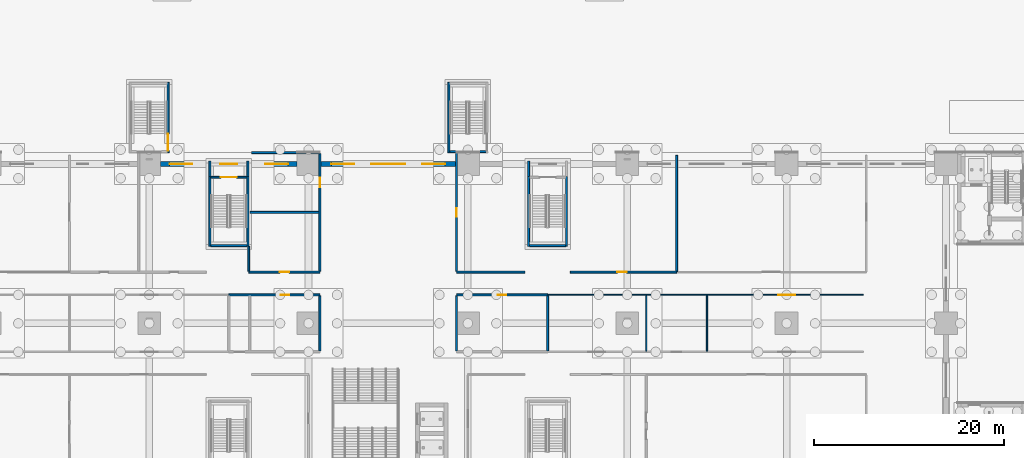
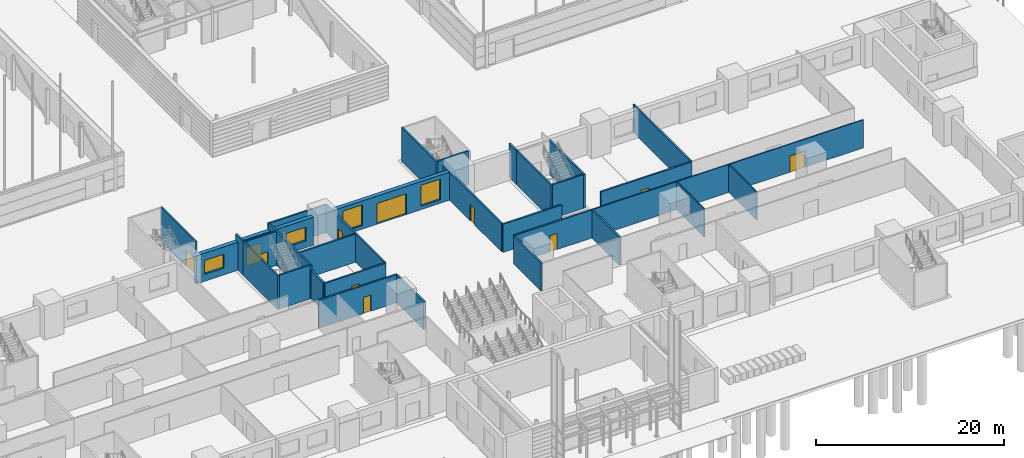
# One storey, part 83 of 139: 32 walls, 11 doors, 4 windows, 15 openings.
"""IFC4 building model written with IfcOpenShell, lengths in metres."""

from ifc_helpers import new_model, si_unit, direction, frame, frame_2d, origin, place, context, subcontext, project, spatial, rectangle, extrude, material, layer, layer_set, type_object, element, fill, save


model = new_model("IFC4")

# Units and contexts
model_context = context("Model", 3, precision=1e-05, world=origin(), true_north=direction((0.0, 1.0)))
body_context = subcontext(model_context, "Body", "Model", "MODEL_VIEW")
ifc_project = project(units=[si_unit("LENGTHUNIT", "METRE"), si_unit("AREAUNIT", "SQUARE_METRE"), si_unit("VOLUMEUNIT", "CUBIC_METRE"), si_unit("PLANEANGLEUNIT", "RADIAN"), si_unit("MASSUNIT", "GRAM", prefix="KILO")], contexts=[model_context])

# Site, building, storey
site_placement = place(None, origin())
site = spatial("IfcSite", under=ifc_project, at=site_placement, CompositionType="ELEMENT")
building_placement = place(site_placement, origin())
building = spatial("IfcBuilding", under=site, at=building_placement, Name="Verrick Yard Athletic Hall", CompositionType="ELEMENT")
storey_placement = place(building_placement, origin())
storey = spatial("IfcBuildingStorey", under=building, at=storey_placement, Name="L00", CompositionType="ELEMENT", Elevation=0.0)

# Walls
ifc_material_1 = material(Name="Concrete 35 MPa", Category="concrete")
ifc_layer_1 = layer(ifc_material_1, 0.199951171875)
ifc_layer_set_1 = layer_set([ifc_layer_1], Name="Enclosure wall CR200")
wall_type_1 = type_object("IfcWallType", Name="Enclosure wall CR200", PredefinedType="SOLIDWALL", material=ifc_layer_set_1)
for number, where, z_axis, x_axis, name in (
    (1, (80.0, 44.10009765625, 0.0), (0.0, 0.0, 1.0), (0.0, 1.0, 0.0), "CORE-PS-N2-WW-L00"),
    (2, (84.0, 44.10009765625, 0.0), (0.0, 0.0, 1.0), (0.0, 1.0, 0.0), "CORE-PS-N2-WE-L00"),
):
    element("IfcWall", number, at=place(storey_placement, frame(where, z_axis=z_axis, x_axis=x_axis)), inside=storey, type_object=wall_type_1, Name=name, PredefinedType="SOLIDWALL", context=body_context, shape_type="SweptSolid", body=[
        extrude(rectangle(XDim=7.39990234375, YDim=0.199951171875, at=frame_2d((3.699951171875, 0.0))), origin(), (0.0, 0.0, 1.0), 4.39990234375),
    ])
wall_1_placement = place(storey_placement, frame((80.10009765625, 44.199951171875, 0.0), z_axis=(0.0, 0.0, 1.0), x_axis=(1.0, 0.0, 0.0)))
element("IfcWall", 3, at=wall_1_placement, inside=storey, type_object=wall_type_1, Name="CORE-PS-N2-WS-L00", PredefinedType="SOLIDWALL", context=body_context, shape_type="SweptSolid", body=[
    extrude(rectangle(XDim=3.7998046875, YDim=0.199951171875, at=frame_2d((1.89990234375, 0.0))), origin(), (0.0, 0.0, 1.0), 4.39990234375),
])

# Wall, opening, door
wall_2_placement = place(storey_placement, frame((80.10009765625, 51.39990234375, 0.0), z_axis=(0.0, 0.0, 1.0), x_axis=(1.0, 0.0, 0.0)))
wall_2 = element("IfcWall", 4, at=wall_2_placement, inside=storey, type_object=wall_type_1, Name="CORE-PS-N2-WN-L00", PredefinedType="SOLIDWALL", context=body_context, shape_type="SweptSolid", body=[
    extrude(rectangle(XDim=3.7998046875, YDim=0.199951171875, at=frame_2d((1.89990234375, 0.0))), origin(), (0.0, 0.0, 1.0), 4.39990234375),
])
opening_1_placement = place(wall_2_placement, frame((1.050048828125, 0.0, 0.0)))
opening_1 = element("IfcOpeningElement", 5, at=opening_1_placement, cuts=wall_2, Name="Opening SD2", PredefinedType="OPENING", context=body_context, shape_type="SweptSolid", body=[
    extrude(rectangle(XDim=1.699951171875, YDim=2.10009765625, at=frame_2d((0.85009765625, 1.050048828125))), frame((0.0, 0.10986328125, 0.0), z_axis=(0.0, -1.0, 0.0), x_axis=(1.0, 0.0, 0.0)), (0.0, 0.0, 1.0), 0.219970703125),
])
ifc_material_2 = material(Name="Hollow metal door leaf")
door_type_1 = type_object("IfcDoorType", Name="Core door SD2 1700x2100", OperationType="NOTDEFINED", PredefinedType="DOOR", material=ifc_material_2)
door_1_placement = place(opening_1_placement, origin())
door_1 = element("IfcDoor", 6, at=door_1_placement, inside=storey, type_object=door_type_1, Name="CORE-PS-N2-WN-L00-DSD2-8200", OperationType="DOUBLE_DOOR_SINGLE_SWING", OverallHeight=2.10009765625, OverallWidth=1.699951171875, PredefinedType="DOOR", context=body_context, shape_type="SweptSolid", body=[
    extrude(rectangle(XDim=1.699951171875, YDim=2.10009765625, at=frame_2d((0.85009765625, 1.050048828125))), frame((0.0, 0.02490234375, 0.0), z_axis=(0.0, -1.0, 0.0), x_axis=(1.0, 0.0, 0.0)), (0.0, 0.0, 1.0), 0.050048828125),
])
fill(opening_1, door_1)

# Walls
for number, where, z_axis, x_axis, name in (
    (7, (80.0, 51.5, 0.0), (0.0, 0.0, 1.0), (0.0, 1.0, 0.0), "CORE-PS-N2-VWW"),
    (8, (84.0, 51.5, 0.0), (0.0, 0.0, 1.0), (0.0, 1.0, 0.0), "CORE-PS-N2-VWE"),
):
    element("IfcWall", number, at=place(storey_placement, frame(where, z_axis=z_axis, x_axis=x_axis)), inside=storey, type_object=wall_type_1, Name=name, PredefinedType="SOLIDWALL", context=body_context, shape_type="SweptSolid", body=[
        extrude(rectangle(XDim=1.60009765625, YDim=0.199951171875, at=frame_2d((0.800048828125, 0.0))), origin(), (0.0, 0.0, 1.0), 4.39990234375),
    ])
for number, where, z_axis, x_axis, name in (
    (9, (113.60009765625, 44.10009765625, 0.0), (0.0, 0.0, 1.0), (0.0, 1.0, 0.0), "CORE-PS-N3-WW-L00"),
    (10, (117.60009765625, 44.10009765625, 0.0), (0.0, 0.0, 1.0), (0.0, 1.0, 0.0), "CORE-PS-N3-WE-L00"),
):
    element("IfcWall", number, at=place(storey_placement, frame(where, z_axis=z_axis, x_axis=x_axis)), inside=storey, type_object=wall_type_1, Name=name, PredefinedType="SOLIDWALL", context=body_context, shape_type="SweptSolid", body=[
        extrude(rectangle(XDim=7.39990234375, YDim=0.199951171875, at=frame_2d((3.699951171875, 0.0))), origin(), (0.0, 0.0, 1.0), 4.39990234375),
    ])
wall_3_placement = place(storey_placement, frame((113.699951171875, 44.199951171875, 0.0), z_axis=(0.0, 0.0, 1.0), x_axis=(1.0, 0.0, 0.0)))
element("IfcWall", 11, at=wall_3_placement, inside=storey, type_object=wall_type_1, Name="CORE-PS-N3-WS-L00", PredefinedType="SOLIDWALL", context=body_context, shape_type="SweptSolid", body=[
    extrude(rectangle(XDim=3.800048828125, YDim=0.199951171875, at=frame_2d((1.89990234375, 0.0))), origin(), (0.0, 0.0, 1.0), 4.39990234375),
])
wall_4_placement = place(storey_placement, frame((113.60009765625, 51.5, 0.0), z_axis=(0.0, 0.0, 1.0), x_axis=(0.0, 1.0, 0.0)))
element("IfcWall", 12, at=wall_4_placement, inside=storey, type_object=wall_type_1, Name="CORE-PS-N3-VWW", PredefinedType="SOLIDWALL", context=body_context, shape_type="SweptSolid", body=[
    extrude(rectangle(XDim=1.60009765625, YDim=0.199951171875, at=frame_2d((0.800048828125, 0.0))), origin(), (0.0, 0.0, 1.0), 4.39990234375),
])
ifc_layer_2 = layer(ifc_material_1, 0.199951171875)
ifc_layer_set_2 = layer_set([ifc_layer_2], Name="External enclosure wall CR200")
wall_type_2 = type_object("IfcWallType", Name="External enclosure wall CR200", PredefinedType="SOLIDWALL", material=ifc_layer_set_2)
wall_5_placement = place(storey_placement, frame((105.199951171875, 54.0, 0.0), z_axis=(0.0, 0.0, 1.0), x_axis=(0.0, 1.0, 0.0)))
element("IfcWall", 13, at=wall_5_placement, inside=storey, type_object=wall_type_2, Name="CORE-DT-N2-WW-L00", PredefinedType="SOLIDWALL", context=body_context, shape_type="SweptSolid", body=[
    extrude(rectangle(XDim=7.39990234375, YDim=0.199951171875, at=frame_2d((3.699951171875, 0.0))), origin(), (0.0, 0.0, 1.0), 4.39990234375),
])
wall_6_placement = place(storey_placement, frame((105.300048828125, 54.10009765625, 0.0), z_axis=(0.0, 0.0, 1.0), x_axis=(1.0, 0.0, 0.0)))
element("IfcWall", 14, at=wall_6_placement, inside=storey, type_object=wall_type_2, Name="CORE-DT-N2-WS-L00", PredefinedType="SOLIDWALL", context=body_context, shape_type="SweptSolid", body=[
    extrude(rectangle(XDim=3.800048828125, YDim=0.199951171875, at=frame_2d((1.89990234375, 0.0))), origin(), (0.0, 0.0, 1.0), 4.39990234375),
])

# Wall, opening, door
wall_7_placement = place(storey_placement, frame((75.60009765625, 61.39990234375, 0.0), z_axis=(0.0, 0.0, 1.0), x_axis=(0.0, -1.0, 0.0)))
wall_7 = element("IfcWall", 15, at=wall_7_placement, inside=storey, type_object=wall_type_2, Name="CORE-DT-N3-WE-L00", PredefinedType="SOLIDWALL", context=body_context, shape_type="SweptSolid", body=[
    extrude(rectangle(XDim=7.39990234375, YDim=0.199951171875, at=frame_2d((3.699951171875, 0.0))), origin(), (0.0, 0.0, 1.0), 4.39990234375),
])
opening_2_placement = place(wall_7_placement, frame((5.39990234375, 0.0, 0.0)))
opening_2 = element("IfcOpeningElement", 16, at=opening_2_placement, cuts=wall_7, Name="Opening XD2", PredefinedType="OPENING", context=body_context, shape_type="SweptSolid", body=[
    extrude(rectangle(XDim=1.800048828125, YDim=2.10009765625, at=frame_2d((0.89990234375, 1.050048828125))), frame((0.0, 0.10986328125, 0.0), z_axis=(0.0, -1.0, 0.0), x_axis=(1.0, 0.0, 0.0)), (0.0, 0.0, 1.0), 0.219970703125),
])
ifc_material_3 = material(Name="Aluminium door leaf", Category="aluminium")
door_type_2 = type_object("IfcDoorType", Name="Core door XD2 1800x2100", OperationType="NOTDEFINED", PredefinedType="DOOR", material=ifc_material_3)
door_2_placement = place(opening_2_placement, origin())
door_2 = element("IfcDoor", 17, at=door_2_placement, inside=storey, type_object=door_type_2, Name="CORE-DT-N3-WE-L00-DXD2-5510", OperationType="DOUBLE_DOOR_SINGLE_SWING", OverallHeight=2.10009765625, OverallWidth=1.800048828125, PredefinedType="DOOR", context=body_context, shape_type="SweptSolid", body=[
    extrude(rectangle(XDim=1.800048828125, YDim=2.10009765625, at=frame_2d((0.89990234375, 1.050048828125))), frame((0.0, 0.02490234375, 0.0), z_axis=(0.0, -1.0, 0.0), x_axis=(1.0, 0.0, 0.0)), (0.0, 0.0, 1.0), 0.050048828125),
])
fill(opening_2, door_2)

ifc_material_4 = material(Name="Concrete masonry block 15 MPa", Category="masonry")
ifc_layer_3 = layer(ifc_material_4, 0.199951171875)
ifc_layer_set_3 = layer_set([ifc_layer_3], Name="PW1 Block partition 200")
wall_type_3 = type_object("IfcWallType", Name="PW1 Block partition 200", PredefinedType="PARTITIONING", material=ifc_layer_set_3)
wall_8_placement = place(storey_placement, frame((82.0, 39.0, 0.0), z_axis=(0.0, 0.0, 1.0), x_axis=(1.0, 0.0, 0.0)))
wall_8 = element("IfcWall", 18, at=wall_8_placement, inside=storey, type_object=wall_type_3, Name="Partition PW1", PredefinedType="PARTITIONING", context=body_context, shape_type="SweptSolid", body=[
    extrude(rectangle(XDim=9.60009765625, YDim=0.199951171875, at=frame_2d((4.800048828125, 0.0))), origin(), (0.0, 0.0, 1.0), 3.64990234375),
])
opening_3_placement = place(wall_8_placement, frame((5.449951171875, 0.0, 0.0)))
opening_3 = element("IfcOpeningElement", 19, at=opening_3_placement, cuts=wall_8, Name="Opening D2", PredefinedType="OPENING", context=body_context, shape_type="SweptSolid", body=[
    extrude(rectangle(XDim=0.89990234375, YDim=2.10009765625, at=frame_2d((0.449951171875, 1.050048828125))), frame((0.0, 0.10986328125, 0.0), z_axis=(0.0, -1.0, 0.0), x_axis=(1.0, 0.0, 0.0)), (0.0, 0.0, 1.0), 0.219970703125),
])
ifc_material_5 = material(Name="Timber door leaf in steel frame", Category="steel")
door_type_3 = type_object("IfcDoorType", Name="D2 Single door 900 x 2100", OperationType="NOTDEFINED", PredefinedType="DOOR", material=ifc_material_5)
door_3_placement = place(opening_3_placement, origin())
door_3 = element("IfcDoor", 20, at=door_3_placement, inside=storey, type_object=door_type_3, Name="D2 Furniture Store", OperationType="SINGLE_SWING_RIGHT", OverallHeight=2.10009765625, OverallWidth=0.89990234375, PredefinedType="DOOR", context=body_context, shape_type="SweptSolid", body=[
    extrude(rectangle(XDim=0.89990234375, YDim=2.10009765625, at=frame_2d((0.449951171875, 1.050048828125))), frame((0.0, 0.02490234375, 0.0), z_axis=(0.0, -1.0, 0.0), x_axis=(1.0, 0.0, 0.0)), (0.0, 0.0, 1.0), 0.050048828125),
])
fill(opening_3, door_3)

wall_9_placement = place(storey_placement, frame((106.0, 39.0, 0.0), z_axis=(0.0, 0.0, 1.0), x_axis=(1.0, 0.0, 0.0)))
wall_9 = element("IfcWall", 21, at=wall_9_placement, inside=storey, type_object=wall_type_3, Name="Partition PW1", PredefinedType="PARTITIONING", context=body_context, shape_type="SweptSolid", body=[
    extrude(rectangle(XDim=9.60009765625, YDim=0.199951171875, at=frame_2d((4.800048828125, 0.0))), origin(), (0.0, 0.0, 1.0), 3.64990234375),
])
opening_4_placement = place(wall_9_placement, frame((4.35009765625, 0.0, 0.0)))
opening_4 = element("IfcOpeningElement", 22, at=opening_4_placement, cuts=wall_9, Name="Opening D2", PredefinedType="OPENING", context=body_context, shape_type="SweptSolid", body=[
    extrude(rectangle(XDim=0.89990234375, YDim=2.10009765625, at=frame_2d((0.449951171875, 1.050048828125))), frame((0.0, 0.10986328125, 0.0), z_axis=(0.0, -1.0, 0.0), x_axis=(1.0, 0.0, 0.0)), (0.0, 0.0, 1.0), 0.219970703125),
])
door_4_placement = place(opening_4_placement, origin())
door_4 = element("IfcDoor", 23, at=door_4_placement, inside=storey, type_object=door_type_3, Name="D2 Pantry Store", OperationType="SINGLE_SWING_LEFT", OverallHeight=2.10009765625, OverallWidth=0.89990234375, PredefinedType="DOOR", context=body_context, shape_type="SweptSolid", body=[
    extrude(rectangle(XDim=0.89990234375, YDim=2.10009765625, at=frame_2d((0.449951171875, 1.050048828125))), frame((0.0, 0.02490234375, 0.0), z_axis=(0.0, -1.0, 0.0), x_axis=(1.0, 0.0, 0.0)), (0.0, 0.0, 1.0), 0.050048828125),
])
fill(opening_4, door_4)

wall_10_placement = place(storey_placement, frame((84.10009765625, 41.39990234375, 0.0), z_axis=(0.0, 0.0, 1.0), x_axis=(1.0, 0.0, 0.0)))
wall_10 = element("IfcWall", 24, at=wall_10_placement, inside=storey, type_object=wall_type_3, Name="Partition PW1", PredefinedType="PARTITIONING", context=body_context, shape_type="SweptSolid", body=[
    extrude(rectangle(XDim=7.5, YDim=0.199951171875, at=frame_2d((3.75, 0.0))), origin(), (0.0, 0.0, 1.0), 3.64990234375),
])
opening_5_placement = place(wall_10_placement, frame((3.25, 0.0, 0.0)))
opening_5 = element("IfcOpeningElement", 25, at=opening_5_placement, cuts=wall_10, Name="Opening D1", PredefinedType="OPENING", context=body_context, shape_type="SweptSolid", body=[
    extrude(rectangle(XDim=1.0, YDim=2.10009765625, at=frame_2d((0.5, 1.050048828125))), frame((0.0, 0.10986328125, 0.0), z_axis=(0.0, -1.0, 0.0), x_axis=(1.0, 0.0, 0.0)), (0.0, 0.0, 1.0), 0.219970703125),
])
door_type_4 = type_object("IfcDoorType", Name="D1 Single door 1000 x 2100", OperationType="NOTDEFINED", PredefinedType="DOOR", material=ifc_material_5)
door_5_placement = place(opening_5_placement, origin())
door_5 = element("IfcDoor", 26, at=door_5_placement, inside=storey, type_object=door_type_4, Name="D1 Public WC Women", OperationType="SINGLE_SWING_LEFT", OverallHeight=2.10009765625, OverallWidth=1.0, PredefinedType="DOOR", context=body_context, shape_type="SweptSolid", body=[
    extrude(rectangle(XDim=1.0, YDim=2.10009765625, at=frame_2d((0.5, 1.050048828125))), frame((0.0, 0.02490234375, 0.0), z_axis=(0.0, -1.0, 0.0), x_axis=(1.0, 0.0, 0.0)), (0.0, 0.0, 1.0), 0.050048828125),
])
fill(opening_5, door_5)

# Walls
wall_11_placement = place(storey_placement, frame((106.0, 41.39990234375, 0.0), z_axis=(0.0, 0.0, 1.0), x_axis=(1.0, 0.0, 0.0)))
element("IfcWall", 27, at=wall_11_placement, inside=storey, type_object=wall_type_3, Name="Partition PW1", PredefinedType="PARTITIONING", context=body_context, shape_type="SweptSolid", body=[
    extrude(rectangle(XDim=7.199951171875, YDim=0.199951171875, at=frame_2d((3.60009765625, 0.0))), origin(), (0.0, 0.0, 1.0), 3.64990234375),
])
wall_12_placement = place(storey_placement, frame((84.25, 47.699951171875, 0.0), z_axis=(0.0, 0.0, 1.0), x_axis=(1.0, 0.0, 0.0)))
element("IfcWall", 28, at=wall_12_placement, inside=storey, type_object=wall_type_3, Name="Partition PW1", PredefinedType="PARTITIONING", context=body_context, shape_type="SweptSolid", body=[
    extrude(rectangle(XDim=7.25, YDim=0.199951171875, at=frame_2d((3.625, 0.0))), origin(), (0.0, 0.0, 1.0), 3.64990234375),
])
wall_13_placement = place(storey_placement, frame((84.39990234375, 54.0, 0.0), z_axis=(0.0, 0.0, 1.0), x_axis=(1.0, 0.0, 0.0)))
element("IfcWall", 29, at=wall_13_placement, inside=storey, type_object=wall_type_3, Name="Partition PW1", PredefinedType="PARTITIONING", context=body_context, shape_type="SweptSolid", body=[
    extrude(rectangle(XDim=7.2001953125, YDim=0.199951171875, at=frame_2d((3.60009765625, 0.0))), origin(), (0.0, 0.0, 1.0), 3.64990234375),
])
wall_14_placement = place(storey_placement, frame((84.10009765625, 41.5, 0.0), z_axis=(0.0, 0.0, 1.0), x_axis=(0.0, 1.0, 0.0)))
element("IfcWall", 30, at=wall_14_placement, inside=storey, type_object=wall_type_3, Name="Partition PW1", PredefinedType="PARTITIONING", context=body_context, shape_type="SweptSolid", body=[
    extrude(rectangle(XDim=2.60009765625, YDim=0.199951171875, at=frame_2d((1.300048828125, 0.0))), origin(), (0.0, 0.0, 1.0), 3.64990234375),
])
wall_15_placement = place(storey_placement, frame((91.60009765625, 33.10009765625, 0.0), z_axis=(0.0, 0.0, 1.0), x_axis=(0.0, 1.0, 0.0)))
element("IfcWall", 31, at=wall_15_placement, inside=storey, type_object=wall_type_3, Name="Partition PW1", PredefinedType="PARTITIONING", context=body_context, shape_type="SweptSolid", body=[
    extrude(rectangle(XDim=5.7998046875, YDim=0.199951171875, at=frame_2d((2.89990234375, 0.0))), origin(), (0.0, 0.0, 1.0), 3.64990234375),
])

# Wall, opening, door
wall_16_placement = place(storey_placement, frame((91.60009765625, 41.5, 0.0), z_axis=(0.0, 0.0, 1.0), x_axis=(0.0, 1.0, 0.0)))
wall_16 = element("IfcWall", 32, at=wall_16_placement, inside=storey, type_object=wall_type_3, Name="Partition PW1", PredefinedType="PARTITIONING", context=body_context, shape_type="SweptSolid", body=[
    extrude(rectangle(XDim=12.39990234375, YDim=0.199951171875, at=frame_2d((6.199951171875, 0.0))), origin(), (0.0, 0.0, 1.0), 3.64990234375),
])
opening_6_placement = place(wall_16_placement, frame((8.85009765625, 0.0, 0.0)))
opening_6 = element("IfcOpeningElement", 33, at=opening_6_placement, cuts=wall_16, Name="Opening D1", PredefinedType="OPENING", context=body_context, shape_type="SweptSolid", body=[
    extrude(rectangle(XDim=1.0, YDim=2.10009765625, at=frame_2d((0.5, 1.050048828125))), frame((0.0, 0.10986328125, 0.0), z_axis=(0.0, -1.0, 0.0), x_axis=(1.0, 0.0, 0.0)), (0.0, 0.0, 1.0), 0.219970703125),
])
door_6_placement = place(opening_6_placement, origin())
door_6 = element("IfcDoor", 34, at=door_6_placement, inside=storey, type_object=door_type_4, Name="D1 Public WC Men", OperationType="SINGLE_SWING_LEFT", OverallHeight=2.10009765625, OverallWidth=1.0, PredefinedType="DOOR", context=body_context, shape_type="SweptSolid", body=[
    extrude(rectangle(XDim=1.0, YDim=2.10009765625, at=frame_2d((0.5, 1.050048828125))), frame((0.0, 0.02490234375, 0.0), z_axis=(0.0, -1.0, 0.0), x_axis=(1.0, 0.0, 0.0)), (0.0, 0.0, 1.0), 0.050048828125),
])
fill(opening_6, door_6)

# Wall
wall_17_placement = place(storey_placement, frame((106.0, 33.10009765625, 0.0), z_axis=(0.0, 0.0, 1.0), x_axis=(0.0, 1.0, 0.0)))
element("IfcWall", 35, at=wall_17_placement, inside=storey, type_object=wall_type_3, Name="Partition PW1", PredefinedType="PARTITIONING", context=body_context, shape_type="SweptSolid", body=[
    extrude(rectangle(XDim=5.7998046875, YDim=0.199951171875, at=frame_2d((2.89990234375, 0.0))), origin(), (0.0, 0.0, 1.0), 3.64990234375),
])

# Wall, opening, door
wall_18_placement = place(storey_placement, frame((106.0, 41.5, 0.0), z_axis=(0.0, 0.0, 1.0), x_axis=(0.0, 1.0, 0.0)))
wall_18 = element("IfcWall", 36, at=wall_18_placement, inside=storey, type_object=wall_type_3, Name="Partition PW1", PredefinedType="PARTITIONING", context=body_context, shape_type="SweptSolid", body=[
    extrude(rectangle(XDim=12.449951171875, YDim=0.199951171875, at=frame_2d((6.22509765625, 0.0))), origin(), (0.0, 0.0, 1.0), 3.64990234375),
])
opening_7_placement = place(wall_18_placement, frame((5.75, 0.0, 0.0)))
opening_7 = element("IfcOpeningElement", 37, at=opening_7_placement, cuts=wall_18, Name="Opening D2", PredefinedType="OPENING", context=body_context, shape_type="SweptSolid", body=[
    extrude(rectangle(XDim=0.89990234375, YDim=2.10009765625, at=frame_2d((0.449951171875, 1.050048828125))), frame((0.0, 0.10986328125, 0.0), z_axis=(0.0, -1.0, 0.0), x_axis=(1.0, 0.0, 0.0)), (0.0, 0.0, 1.0), 0.219970703125),
])
door_7_placement = place(opening_7_placement, origin())
door_7 = element("IfcDoor", 38, at=door_7_placement, inside=storey, type_object=door_type_3, Name="D2 Delivery Store", OperationType="SINGLE_SWING_RIGHT", OverallHeight=2.10009765625, OverallWidth=0.89990234375, PredefinedType="DOOR", context=body_context, shape_type="SweptSolid", body=[
    extrude(rectangle(XDim=0.89990234375, YDim=2.10009765625, at=frame_2d((0.449951171875, 1.050048828125))), frame((0.0, 0.02490234375, 0.0), z_axis=(0.0, -1.0, 0.0), x_axis=(1.0, 0.0, 0.0)), (0.0, 0.0, 1.0), 0.050048828125),
])
fill(opening_7, door_7)

# Wall
wall_19_placement = place(storey_placement, frame((115.60009765625, 33.10009765625, 0.0), z_axis=(0.0, 0.0, 1.0), x_axis=(0.0, 1.0, 0.0)))
element("IfcWall", 39, at=wall_19_placement, inside=storey, type_object=wall_type_3, Name="Partition PW1", PredefinedType="PARTITIONING", context=body_context, shape_type="SweptSolid", body=[
    extrude(rectangle(XDim=5.7998046875, YDim=0.199951171875, at=frame_2d((2.89990234375, 0.0))), origin(), (0.0, 0.0, 1.0), 3.64990234375),
])

# Wall, opening, door
ifc_material_6 = material(Name="Gypsum plasterboard on light-gauge studs")
ifc_layer_4 = layer(ifc_material_6, 0.125)
ifc_layer_set_4 = layer_set([ifc_layer_4], Name="PW2 Stud partition 125")
wall_type_4 = type_object("IfcWallType", Name="PW2 Stud partition 125", PredefinedType="PARTITIONING", material=ifc_layer_set_4)
wall_20_placement = place(storey_placement, frame((115.60009765625, 39.0, 0.0), z_axis=(0.0, 0.0, 1.0), x_axis=(1.0, 0.0, 0.0)))
wall_20 = element("IfcWall", 40, at=wall_20_placement, inside=storey, type_object=wall_type_4, Name="Partition PW2", PredefinedType="PARTITIONING", context=body_context, shape_type="SweptSolid", body=[
    extrude(rectangle(XDim=33.2998046875, YDim=0.125, at=frame_2d((16.64990234375, 0.0))), origin(), (0.0, 0.0, 1.0), 3.64990234375),
])
opening_8_placement = place(wall_20_placement, frame((24.300048828125, 0.0, 0.0)))
opening_8 = element("IfcOpeningElement", 41, at=opening_8_placement, cuts=wall_20, Name="Opening D3", PredefinedType="OPENING", context=body_context, shape_type="SweptSolid", body=[
    extrude(rectangle(XDim=1.800048828125, YDim=2.10009765625, at=frame_2d((0.89990234375, 1.050048828125))), frame((0.0, 0.072509765625, 0.0), z_axis=(0.0, -1.0, 0.0), x_axis=(1.0, 0.0, 0.0)), (0.0, 0.0, 1.0), 0.14501953125),
])
door_type_5 = type_object("IfcDoorType", Name="D3 Double door 1800 x 2100", OperationType="NOTDEFINED", PredefinedType="DOOR", material=ifc_material_5)
door_8_placement = place(opening_8_placement, origin())
door_8 = element("IfcDoor", 42, at=door_8_placement, inside=storey, type_object=door_type_5, Name="D3 Community Room 6", OperationType="DOUBLE_DOOR_SINGLE_SWING", OverallHeight=2.10009765625, OverallWidth=1.800048828125, PredefinedType="DOOR", context=body_context, shape_type="SweptSolid", body=[
    extrude(rectangle(XDim=1.800048828125, YDim=2.10009765625, at=frame_2d((0.89990234375, 1.050048828125))), frame((0.0, 0.02490234375, 0.0), z_axis=(0.0, -1.0, 0.0), x_axis=(1.0, 0.0, 0.0)), (0.0, 0.0, 1.0), 0.050048828125),
])
fill(opening_8, door_8)

# Walls
for number, where, z_axis, x_axis, name in (
    (43, (126.0, 33.0625, 0.0), (0.0, 0.0, 1.0), (0.0, 1.0, 0.0), "Partition PW2"),
    (44, (132.39990234375, 33.0625, 0.0), (0.0, 0.0, 1.0), (0.0, 1.0, 0.0), "Partition PW2"),
):
    element("IfcWall", number, at=place(storey_placement, frame(where, z_axis=z_axis, x_axis=x_axis)), inside=storey, type_object=wall_type_4, Name=name, PredefinedType="PARTITIONING", context=body_context, shape_type="SweptSolid", body=[
        extrude(rectangle(XDim=5.875, YDim=0.125, at=frame_2d((2.9375, 0.0))), origin(), (0.0, 0.0, 1.0), 3.64990234375),
    ])

# Wall, opening, door
ifc_layer_5 = layer(ifc_material_4, 0.199951171875)
ifc_layer_set_5 = layer_set([ifc_layer_5], Name="PW3 Fire-rated block partition 200")
wall_type_5 = type_object("IfcWallType", Name="PW3 Fire-rated block partition 200", PredefinedType="PARTITIONING", material=ifc_layer_set_5)
wall_21_placement = place(storey_placement, frame((118.0, 41.39990234375, 0.0), z_axis=(0.0, 0.0, 1.0), x_axis=(1.0, 0.0, 0.0)))
wall_21 = element("IfcWall", 45, at=wall_21_placement, inside=storey, type_object=wall_type_5, Name="Partition PW3", PredefinedType="PARTITIONING", context=body_context, shape_type="SweptSolid", body=[
    extrude(rectangle(XDim=11.199951171875, YDim=0.199951171875, at=frame_2d((5.60009765625, 0.0))), origin(), (0.0, 0.0, 1.0), 3.64990234375),
])
opening_9_placement = place(wall_21_placement, frame((4.949951171875, 0.0, 0.0)))
opening_9 = element("IfcOpeningElement", 46, at=opening_9_placement, cuts=wall_21, Name="Opening D5", PredefinedType="OPENING", context=body_context, shape_type="SweptSolid", body=[
    extrude(rectangle(XDim=1.0, YDim=2.10009765625, at=frame_2d((0.5, 1.050048828125))), frame((0.0, 0.10986328125, 0.0), z_axis=(0.0, -1.0, 0.0), x_axis=(1.0, 0.0, 0.0)), (0.0, 0.0, 1.0), 0.219970703125),
])
ifc_material_7 = material(Name="Fire-rated timber door leaf in steel frame", Category="steel")
door_type_6 = type_object("IfcDoorType", Name="D5 Fire door 1000 x 2100", OperationType="NOTDEFINED", PredefinedType="DOOR", material=ifc_material_7)
door_9_placement = place(opening_9_placement, origin())
door_9 = element("IfcDoor", 47, at=door_9_placement, inside=storey, type_object=door_type_6, Name="D5 Plant Room 2", OperationType="SINGLE_SWING_LEFT", OverallHeight=2.10009765625, OverallWidth=1.0, PredefinedType="DOOR", context=body_context, shape_type="SweptSolid", body=[
    extrude(rectangle(XDim=1.0, YDim=2.10009765625, at=frame_2d((0.5, 1.050048828125))), frame((0.0, 0.02490234375, 0.0), z_axis=(0.0, -1.0, 0.0), x_axis=(1.0, 0.0, 0.0)), (0.0, 0.0, 1.0), 0.050048828125),
])
fill(opening_9, door_9)

# Wall
wall_22_placement = place(storey_placement, frame((129.199951171875, 41.46240234375, 0.0), z_axis=(0.0, 0.0, 1.0), x_axis=(0.0, 1.0, 0.0)))
element("IfcWall", 48, at=wall_22_placement, inside=storey, type_object=wall_type_5, Name="Partition PW3", PredefinedType="PARTITIONING", context=body_context, shape_type="SweptSolid", body=[
    extrude(rectangle(XDim=12.237548828125, YDim=0.199951171875, at=frame_2d((6.11865234375, 0.0))), origin(), (0.0, 0.0, 1.0), 3.64990234375),
])

# Wall, openings, door, windows
ifc_material_8 = material(Name="Rusticated limestone cladding", Category="masonry")
ifc_layer_6 = layer(ifc_material_8, 0.10009765625, Name="Rusticated limestone cladding")
ifc_material_9 = material(Name="Mineral wool insulation")
ifc_layer_7 = layer(ifc_material_9, 0.10009765625, Name="Mineral wool insulation")
ifc_layer_8 = layer(ifc_material_1, 0.300048828125, Name="Concrete 35 MPa")
ifc_layer_set_6 = layer_set([ifc_layer_6, ifc_layer_7, ifc_layer_8], Name="Rusticated base wall 500")
wall_type_6 = type_object("IfcWallType", Name="Rusticated base wall 500", PredefinedType="SOLIDWALL", material=ifc_layer_set_6)
wall_23_placement = place(storey_placement, frame((74.800048828125, 52.800048828125, 0.0), z_axis=(0.0, 0.0, 1.0), x_axis=(1.0, 0.0, 0.0)))
wall_23 = element("IfcWall", 49, at=wall_23_placement, inside=storey, type_object=wall_type_6, Name="Base wall N3", PredefinedType="SOLIDWALL", context=body_context, shape_type="SweptSolid", body=[
    extrude(rectangle(XDim=14.39990234375, YDim=0.5, at=frame_2d((7.199951171875, 0.0))), origin(), (0.0, 0.0, 1.0), 3.64990234375),
])
opening_10_placement = place(wall_23_placement, frame((0.9599609375, 0.0, 0.89990234375)))
opening_10 = element("IfcOpeningElement", 50, at=opening_10_placement, cuts=wall_23, Name="Opening W1", PredefinedType="OPENING", context=body_context, shape_type="SweptSolid", body=[
    extrude(rectangle(XDim=2.39990234375, YDim=1.800048828125, at=frame_2d((1.199951171875, 0.89990234375))), frame((0.0, 0.260009765625, 0.0), z_axis=(0.0, -1.0, 0.0), x_axis=(1.0, 0.0, 0.0)), (0.0, 0.0, 1.0), 0.52001953125),
])
opening_11_placement = place(wall_23_placement, frame((11.0400390625, 0.0, 0.89990234375)))
opening_11 = element("IfcOpeningElement", 51, at=opening_11_placement, cuts=wall_23, Name="Opening W1", PredefinedType="OPENING", context=body_context, shape_type="SweptSolid", body=[
    extrude(rectangle(XDim=2.39990234375, YDim=1.800048828125, at=frame_2d((1.199951171875, 0.89990234375))), frame((0.0, 0.260009765625, 0.0), z_axis=(0.0, -1.0, 0.0), x_axis=(1.0, 0.0, 0.0)), (0.0, 0.0, 1.0), 0.52001953125),
])
opening_12_placement = place(wall_23_placement, frame((6.300048828125, 0.0, 0.0)))
opening_12 = element("IfcOpeningElement", 52, at=opening_12_placement, cuts=wall_23, Name="Opening ED5", PredefinedType="OPENING", context=body_context, shape_type="SweptSolid", body=[
    extrude(rectangle(XDim=1.800048828125, YDim=2.39990234375, at=frame_2d((0.89990234375, 1.199951171875))), frame((0.0, 0.260009765625, 0.0), z_axis=(0.0, -1.0, 0.0), x_axis=(1.0, 0.0, 0.0)), (0.0, 0.0, 1.0), 0.52001953125),
])
ifc_material_10 = material(Name="Insulated steel door", Category="steel")
door_type_7 = type_object("IfcDoorType", Name="Exit door pair 1800 x 2400", OperationType="NOTDEFINED", PredefinedType="DOOR", material=ifc_material_10)
door_10_placement = place(opening_12_placement, origin())
door_10 = element("IfcDoor", 53, at=door_10_placement, inside=storey, type_object=door_type_7, Name="Exterior door E15", OperationType="DOUBLE_DOOR_SINGLE_SWING", OverallHeight=2.39990234375, OverallWidth=1.800048828125, PredefinedType="DOOR", context=body_context, shape_type="SweptSolid", body=[
    extrude(rectangle(XDim=1.800048828125, YDim=2.39990234375, at=frame_2d((0.89990234375, 1.199951171875))), frame((0.0, 0.02490234375, 0.0), z_axis=(0.0, -1.0, 0.0), x_axis=(1.0, 0.0, 0.0)), (0.0, 0.0, 1.0), 0.050048828125),
])
fill(opening_12, door_10)
ifc_material_11 = material(Name="Aluminium frame with double glazing", Category="aluminium")
window_type_1 = type_object("IfcWindowType", Name="Window 2400 x 1800", PartitioningType="NOTDEFINED", PredefinedType="WINDOW", material=ifc_material_11)
window_1_placement = place(opening_10_placement, origin())
window_1 = element("IfcWindow", 54, at=window_1_placement, inside=storey, type_object=window_type_1, Name="Window N3.1", OverallHeight=1.800048828125, OverallWidth=2.39990234375, PartitioningType="SINGLE_PANEL", PredefinedType="WINDOW", context=body_context, shape_type="SweptSolid", body=[
    extrude(rectangle(XDim=2.39990234375, YDim=1.800048828125, at=frame_2d((1.199951171875, 0.89990234375))), frame((0.0, 0.030029296875, 0.0), z_axis=(0.0, -1.0, 0.0), x_axis=(1.0, 0.0, 0.0)), (0.0, 0.0, 1.0), 0.06005859375),
])
fill(opening_10, window_1)
window_2_placement = place(opening_11_placement, origin())
window_2 = element("IfcWindow", 55, at=window_2_placement, inside=storey, type_object=window_type_1, Name="Window N3.2", OverallHeight=1.800048828125, OverallWidth=2.39990234375, PartitioningType="SINGLE_PANEL", PredefinedType="WINDOW", context=body_context, shape_type="SweptSolid", body=[
    extrude(rectangle(XDim=2.39990234375, YDim=1.800048828125, at=frame_2d((1.199951171875, 0.89990234375))), frame((0.0, 0.030029296875, 0.0), z_axis=(0.0, -1.0, 0.0), x_axis=(1.0, 0.0, 0.0)), (0.0, 0.0, 1.0), 0.06005859375),
])
fill(opening_11, window_2)

wall_24_placement = place(storey_placement, frame((91.60009765625, 52.800048828125, 0.0), z_axis=(0.0, 0.0, 1.0), x_axis=(1.0, 0.0, 0.0)))
wall_24 = element("IfcWall", 56, at=wall_24_placement, inside=storey, type_object=wall_type_6, Name="Base wall N4", PredefinedType="SOLIDWALL", context=body_context, shape_type="SweptSolid", body=[
    extrude(rectangle(XDim=14.39990234375, YDim=0.5, at=frame_2d((7.199951171875, 0.0))), origin(), (0.0, 0.0, 1.0), 3.64990234375),
])
opening_13_placement = place(wall_24_placement, frame((1.199951171875, 0.0, 0.449951171875)))
opening_13 = element("IfcOpeningElement", 57, at=opening_13_placement, cuts=wall_24, Name="Opening W2", PredefinedType="OPENING", context=body_context, shape_type="SweptSolid", body=[
    extrude(rectangle(XDim=2.39990234375, YDim=2.699951171875, at=frame_2d((1.199951171875, 1.35009765625))), frame((0.0, 0.260009765625, 0.0), z_axis=(0.0, -1.0, 0.0), x_axis=(1.0, 0.0, 0.0)), (0.0, 0.0, 1.0), 0.52001953125),
])
opening_14_placement = place(wall_24_placement, frame((10.800048828125, 0.0, 0.449951171875)))
opening_14 = element("IfcOpeningElement", 58, at=opening_14_placement, cuts=wall_24, Name="Opening W2", PredefinedType="OPENING", context=body_context, shape_type="SweptSolid", body=[
    extrude(rectangle(XDim=2.39990234375, YDim=2.699951171875, at=frame_2d((1.199951171875, 1.35009765625))), frame((0.0, 0.260009765625, 0.0), z_axis=(0.0, -1.0, 0.0), x_axis=(1.0, 0.0, 0.0)), (0.0, 0.0, 1.0), 0.52001953125),
])
opening_15_placement = place(wall_24_placement, frame((5.39990234375, 0.0, 0.0)))
opening_15 = element("IfcOpeningElement", 59, at=opening_15_placement, cuts=wall_24, Name="Opening ED1", PredefinedType="OPENING", context=body_context, shape_type="SweptSolid", body=[
    extrude(rectangle(XDim=3.60009765625, YDim=2.699951171875, at=frame_2d((1.800048828125, 1.35009765625))), frame((0.0, 0.260009765625, 0.0), z_axis=(0.0, -1.0, 0.0), x_axis=(1.0, 0.0, 0.0)), (0.0, 0.0, 1.0), 0.52001953125),
])
door_type_8 = type_object("IfcDoorType", Name="Entrance door pair 3600 x 2700", OperationType="NOTDEFINED", PredefinedType="DOOR", material=ifc_material_11)
door_11_placement = place(opening_15_placement, origin())
door_11 = element("IfcDoor", 60, at=door_11_placement, inside=storey, type_object=door_type_8, Name="Exterior door E3", OperationType="DOUBLE_DOOR_SINGLE_SWING", OverallHeight=2.699951171875, OverallWidth=3.60009765625, PredefinedType="DOOR", context=body_context, shape_type="SweptSolid", body=[
    extrude(rectangle(XDim=3.60009765625, YDim=2.699951171875, at=frame_2d((1.800048828125, 1.35009765625))), frame((0.0, 0.02490234375, 0.0), z_axis=(0.0, -1.0, 0.0), x_axis=(1.0, 0.0, 0.0)), (0.0, 0.0, 1.0), 0.050048828125),
])
fill(opening_15, door_11)
window_type_2 = type_object("IfcWindowType", Name="Window 2400 x 2700", PartitioningType="NOTDEFINED", PredefinedType="WINDOW", material=ifc_material_11)
window_3_placement = place(opening_13_placement, origin())
window_3 = element("IfcWindow", 61, at=window_3_placement, inside=storey, type_object=window_type_2, Name="Window N4.1", OverallHeight=2.699951171875, OverallWidth=2.39990234375, PartitioningType="SINGLE_PANEL", PredefinedType="WINDOW", context=body_context, shape_type="SweptSolid", body=[
    extrude(rectangle(XDim=2.39990234375, YDim=2.699951171875, at=frame_2d((1.199951171875, 1.35009765625))), frame((0.0, 0.030029296875, 0.0), z_axis=(0.0, -1.0, 0.0), x_axis=(1.0, 0.0, 0.0)), (0.0, 0.0, 1.0), 0.06005859375),
])
fill(opening_13, window_3)
window_4_placement = place(opening_14_placement, origin())
window_4 = element("IfcWindow", 62, at=window_4_placement, inside=storey, type_object=window_type_2, Name="Window N4.2", OverallHeight=2.699951171875, OverallWidth=2.39990234375, PartitioningType="SINGLE_PANEL", PredefinedType="WINDOW", context=body_context, shape_type="SweptSolid", body=[
    extrude(rectangle(XDim=2.39990234375, YDim=2.699951171875, at=frame_2d((1.199951171875, 1.35009765625))), frame((0.0, 0.030029296875, 0.0), z_axis=(0.0, -1.0, 0.0), x_axis=(1.0, 0.0, 0.0)), (0.0, 0.0, 1.0), 0.06005859375),
])
fill(opening_14, window_4)

save(model, "model.ifc")
